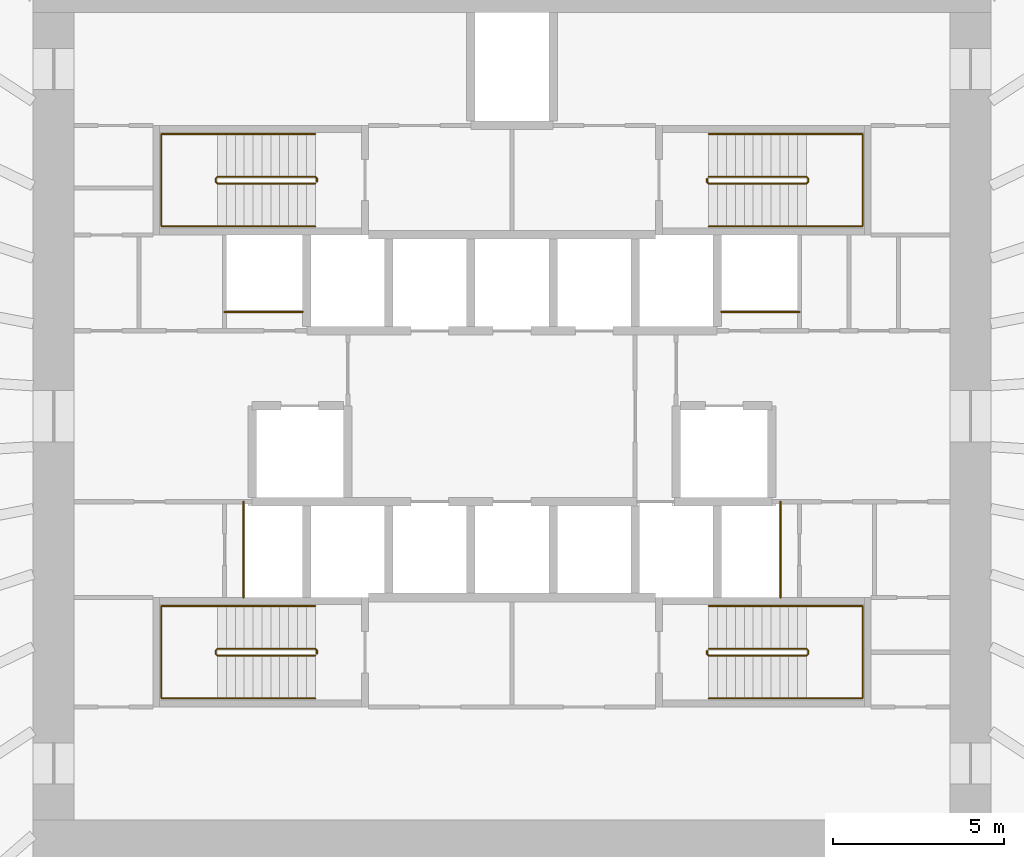
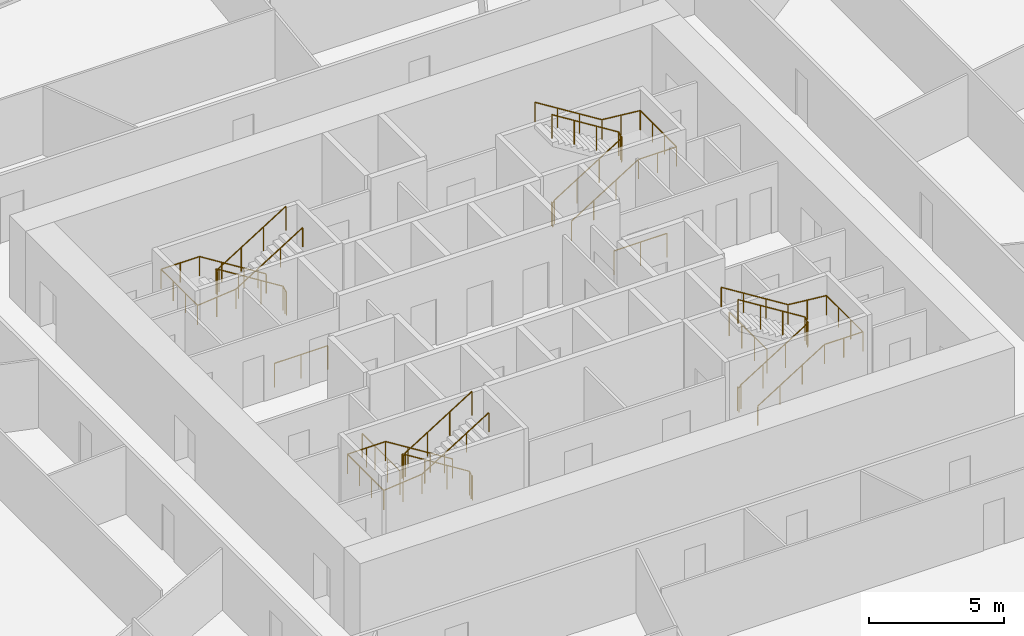
# One storey, part 10 of 10: 12 railings.
"""IFC4 building model written with IfcOpenShell, lengths in metres."""

from ifc_helpers import new_model, si_unit, direction, frame, origin, origin_2d, place, context, subcontext, project, spatial, circle, extrude, source, transform, mapped, material, type_object, element, save


model = new_model("IFC4")

# Units and contexts
model_context = context("Model", 3, precision=1e-05, world=origin(), true_north=direction((0.0, 1.0)))
body_context = subcontext(model_context, "Body", "Model", "MODEL_VIEW")
ifc_project = project(units=[si_unit("LENGTHUNIT", "METRE"), si_unit("AREAUNIT", "SQUARE_METRE"), si_unit("VOLUMEUNIT", "CUBIC_METRE"), si_unit("PLANEANGLEUNIT", "RADIAN"), si_unit("MASSUNIT", "GRAM", prefix="KILO")], contexts=[model_context])

# Site, building, storey
site_placement = place(None, origin())
site = spatial("IfcSite", under=ifc_project, at=site_placement, CompositionType="ELEMENT")
building_placement = place(site_placement, origin())
building = spatial("IfcBuilding", under=site, at=building_placement, Name="Embergate Tower", CompositionType="ELEMENT")
storey_placement = place(building_placement, frame((0.0, 0.0, 117.199951171875)))
storey = spatial("IfcBuildingStorey", under=building, at=storey_placement, Name="L25", CompositionType="ELEMENT", Elevation=117.199951171875)

# Railings
ifc_material_1 = material(Name="Stair guard 1100")
railing_type_1 = type_object("IfcRailingType", Name="Stair guard 1100", PredefinedType="GUARDRAIL", material=ifc_material_1)
shared_shape_1 = source(origin(), body_context, "Body", "SweptSolid", [
    extrude(circle(Radius=0.02392578125, at=origin_2d()), frame((0.0, 0.0, 1.076171875), z_axis=(0.0, 1.0, 0.0), x_axis=(-1.0, 0.0, 0.0)), (0.0, 0.0, 1.0), 0.099853515625),
    extrude(circle(Radius=0.02392578125, at=origin_2d()), frame((0.0, 0.099853515625, 1.076171875), z_axis=(-0.282227285176, 0.282227285176, 0.916894497205), x_axis=(-0.707106781187, -0.707106781187, 0.0)), (0.0, 0.0, 1.0), 0.17724609375),
    extrude(circle(Radius=0.02392578125, at=origin_2d()), frame((-0.050048828125, 0.14990234375, 1.23876953125), z_axis=(-0.848026770018, 0.0, 0.529953391661), x_axis=(0.0, -1.0, 0.0)), (0.0, 0.0, 1.0), 3.37255859375),
    extrude(circle(Radius=0.02392578125, at=origin_2d()), frame((-2.91015625, 0.14990234375, 3.02587890625), z_axis=(-0.705375805398, -0.708833529934, 0.0), x_axis=(0.708833529934, -0.705375805398, 0.0)), (0.0, 0.0, 1.0), 0.070556640625),
    extrude(circle(Radius=0.02392578125, at=origin_2d()), frame((-2.9599609375, 0.099853515625, 3.02587890625), z_axis=(0.0, -1.0, 0.0), x_axis=(1.0, 0.0, 0.0)), (0.0, 0.0, 1.0), 0.099853515625),
    extrude(circle(Radius=0.02392578125, at=origin_2d()), frame((-2.9599609375, 0.0, 3.02587890625), z_axis=(0.280959487676, -0.282336740067, 0.917250092119), x_axis=(0.708833529934, 0.705375805398, 0.0)), (0.0, 0.0, 1.0), 0.17724609375),
    extrude(circle(Radius=0.02392578125, at=origin_2d()), frame((-2.91015625, -0.050048828125, 3.1884765625), z_axis=(0.847994237388, 0.0, 0.530005446535), x_axis=(0.0, 1.0, 0.0)), (0.0, 0.0, 1.0), 3.372802734375),
    extrude(circle(Radius=0.02099609375, at=origin_2d()), origin(), (0.0, 0.0, 1.0), 1.052001953125),
    extrude(circle(Radius=0.02099609375, at=origin_2d()), frame((0.0, 0.099853515625, 0.0)), (0.0, 0.0, 1.0), 1.052001953125),
    extrude(circle(Radius=0.02099609375, at=origin_2d()), frame((-0.050048828125, 0.14990234375, 0.16259765625)), (0.0, 0.0, 1.0), 1.052001953125),
    extrude(circle(Radius=0.02099609375, at=origin_2d()), frame((-1.00341796875, 0.14990234375, 0.75830078125)), (0.0, 0.0, 1.0), 1.052001953125),
    extrude(circle(Radius=0.02099609375, at=origin_2d()), frame((-1.956787109375, 0.14990234375, 1.354248046875)), (0.0, 0.0, 1.0), 1.052001953125),
    extrude(circle(Radius=0.02099609375, at=origin_2d()), frame((-2.91015625, 0.14990234375, 1.949951171875)), (0.0, 0.0, 1.0), 1.052001953125),
    extrude(circle(Radius=0.02099609375, at=origin_2d()), frame((-2.9599609375, 0.099853515625, 1.949951171875)), (0.0, 0.0, 1.0), 1.052001953125),
    extrude(circle(Radius=0.02099609375, at=origin_2d()), frame((-2.9599609375, 0.0, 1.949951171875)), (0.0, 0.0, 1.0), 1.052001953125),
    extrude(circle(Radius=0.02099609375, at=origin_2d()), frame((-2.91015625, -0.050048828125, 2.112548828125)), (0.0, 0.0, 1.0), 1.052001953125),
    extrude(circle(Radius=0.02099609375, at=origin_2d()), frame((-1.956787109375, -0.050048828125, 2.70849609375)), (0.0, 0.0, 1.0), 1.052001953125),
    extrude(circle(Radius=0.02099609375, at=origin_2d()), frame((-1.00341796875, -0.050048828125, 3.30419921875)), (0.0, 0.0, 1.0), 1.052001953125),
    extrude(circle(Radius=0.02099609375, at=origin_2d()), frame((-0.050048828125, -0.050048828125, 3.900146484375)), (0.0, 0.0, 1.0), 1.052001953125),
])
for number, where, name in (
    (1, (-5.699951171875, 6.85009765625, 0.0), "L25 ST1 stair guard 1"),
    (2, (-5.699951171875, -6.949951171875, 0.0), "L25 ST3 stair guard 1"),
):
    element("IfcRailing", number, at=place(storey_placement, frame(where)), inside=storey, type_object=railing_type_1, Name=name, PredefinedType="GUARDRAIL", context=body_context, shape_type="MappedRepresentation", body=[
        mapped(shared_shape_1, transform((0.0, 0.0, 0.0))),
    ])
ifc_material_2 = material(Name="Stair handrail 900")
railing_type_2 = type_object("IfcRailingType", Name="Stair handrail 900", PredefinedType="HANDRAIL", material=ifc_material_2)
shared_shape_2 = source(origin(), body_context, "Body", "SweptSolid", [
    extrude(circle(Radius=0.02392578125, at=origin_2d()), frame((0.0, 0.0, 0.8759765625), z_axis=(-0.848026770018, 0.0, 0.529953391661), x_axis=(0.0, -1.0, 0.0)), (0.0, 0.0, 1.0), 3.37255859375),
    extrude(circle(Radius=0.02392578125, at=origin_2d()), frame((-2.860107421875, 0.0, 2.6630859375), z_axis=(-1.0, 0.0, 0.0), x_axis=(0.0, -1.0, 0.0)), (0.0, 0.0, 1.0), 1.639892578125),
    extrude(circle(Radius=0.02392578125, at=origin_2d()), frame((-4.5, 0.0, 2.6630859375), z_axis=(0.0, -1.0, 0.0), x_axis=(1.0, 0.0, 0.0)), (0.0, 0.0, 1.0), 2.699951171875),
    extrude(circle(Radius=0.02392578125, at=origin_2d()), frame((-4.5, -2.699951171875, 2.6630859375), z_axis=(0.995120448088, 0.0, 0.098667592441), x_axis=(0.0, 1.0, 0.0)), (0.0, 0.0, 1.0), 1.64794921875),
    extrude(circle(Radius=0.02392578125, at=origin_2d()), frame((-2.860107421875, -2.699951171875, 2.82568359375), z_axis=(0.847994237388, 0.0, 0.530005446535), x_axis=(0.0, 1.0, 0.0)), (0.0, 0.0, 1.0), 3.372802734375),
    extrude(circle(Radius=0.02099609375, at=origin_2d()), origin(), (0.0, 0.0, 1.0), 0.851806640625),
    extrude(circle(Radius=0.02099609375, at=origin_2d()), frame((-0.953369140625, 0.0, 0.595703125)), (0.0, 0.0, 1.0), 0.851806640625),
    extrude(circle(Radius=0.02099609375, at=origin_2d()), frame((-1.90673828125, 0.0, 1.191650390625)), (0.0, 0.0, 1.0), 0.851806640625),
    extrude(circle(Radius=0.02099609375, at=origin_2d()), frame((-2.860107421875, 0.0, 1.787353515625)), (0.0, 0.0, 1.0), 0.851806640625),
    extrude(circle(Radius=0.02099609375, at=origin_2d()), frame((-3.68017578125, 0.0, 1.787353515625)), (0.0, 0.0, 1.0), 0.851806640625),
    extrude(circle(Radius=0.02099609375, at=origin_2d()), frame((-4.5, 0.0, 1.787353515625)), (0.0, 0.0, 1.0), 0.851806640625),
    extrude(circle(Radius=0.02099609375, at=origin_2d()), frame((-4.5, -0.89990234375, 1.787353515625)), (0.0, 0.0, 1.0), 0.851806640625),
    extrude(circle(Radius=0.02099609375, at=origin_2d()), frame((-4.5, -1.800048828125, 1.787353515625)), (0.0, 0.0, 1.0), 0.851806640625),
    extrude(circle(Radius=0.02099609375, at=origin_2d()), frame((-4.5, -2.699951171875, 1.787353515625)), (0.0, 0.0, 1.0), 0.851806640625),
    extrude(circle(Radius=0.02099609375, at=origin_2d()), frame((-3.68017578125, -2.699951171875, 1.86865234375)), (0.0, 0.0, 1.0), 0.851806640625),
    extrude(circle(Radius=0.02099609375, at=origin_2d()), frame((-2.860107421875, -2.699951171875, 1.949951171875)), (0.0, 0.0, 1.0), 0.851806640625),
    extrude(circle(Radius=0.02099609375, at=origin_2d()), frame((-1.90673828125, -2.699951171875, 2.5458984375)), (0.0, 0.0, 1.0), 0.851806640625),
    extrude(circle(Radius=0.02099609375, at=origin_2d()), frame((-0.953369140625, -2.699951171875, 3.1416015625)), (0.0, 0.0, 1.0), 0.851806640625),
    extrude(circle(Radius=0.02099609375, at=origin_2d()), frame((0.0, -2.699951171875, 3.737548828125)), (0.0, 0.0, 1.0), 0.851806640625),
])
for number, where, name in (
    (3, (-5.75, 8.25, 0.16259765625), "L25 ST1 stair handrail 1"),
    (4, (-5.75, -5.550048828125, 0.16259765625), "L25 ST3 stair handrail 1"),
):
    element("IfcRailing", number, at=place(storey_placement, frame(where)), inside=storey, type_object=railing_type_2, Name=name, PredefinedType="HANDRAIL", context=body_context, shape_type="MappedRepresentation", body=[
        mapped(shared_shape_2, transform((0.0, 0.0, 0.0))),
    ])
shared_shape_3 = source(origin(), body_context, "Body", "SweptSolid", [
    extrude(circle(Radius=0.02392578125, at=origin_2d()), frame((0.0, 0.0, 1.076171875), z_axis=(0.0, -1.0, 0.0), x_axis=(1.0, 0.0, 0.0)), (0.0, 0.0, 1.0), 0.099853515625),
    extrude(circle(Radius=0.02392578125, at=origin_2d()), frame((0.0, -0.099853515625, 1.076171875), z_axis=(0.282227285176, -0.282227285176, 0.916894497205), x_axis=(0.707106781187, 0.707106781187, 0.0)), (0.0, 0.0, 1.0), 0.17724609375),
    extrude(circle(Radius=0.02392578125, at=origin_2d()), frame((0.050048828125, -0.14990234375, 1.23876953125), z_axis=(0.848026770018, 0.0, 0.529953391661), x_axis=(0.0, 1.0, 0.0)), (0.0, 0.0, 1.0), 3.37255859375),
    extrude(circle(Radius=0.02392578125, at=origin_2d()), frame((2.91015625, -0.14990234375, 3.02587890625), z_axis=(0.705375805398, 0.708833529934, 0.0), x_axis=(-0.708833529934, 0.705375805398, 0.0)), (0.0, 0.0, 1.0), 0.070556640625),
    extrude(circle(Radius=0.02392578125, at=origin_2d()), frame((2.9599609375, -0.099853515625, 3.02587890625), z_axis=(0.0, 1.0, 0.0), x_axis=(-1.0, 0.0, 0.0)), (0.0, 0.0, 1.0), 0.099853515625),
    extrude(circle(Radius=0.02392578125, at=origin_2d()), frame((2.9599609375, 0.0, 3.02587890625), z_axis=(-0.280959487676, 0.282336740067, 0.917250092119), x_axis=(-0.708833529934, -0.705375805398, 0.0)), (0.0, 0.0, 1.0), 0.17724609375),
    extrude(circle(Radius=0.02392578125, at=origin_2d()), frame((2.91015625, 0.050048828125, 3.1884765625), z_axis=(-0.847994237388, 0.0, 0.530005446535), x_axis=(0.0, -1.0, 0.0)), (0.0, 0.0, 1.0), 3.372802734375),
    extrude(circle(Radius=0.02099609375, at=origin_2d()), origin(), (0.0, 0.0, 1.0), 1.052001953125),
    extrude(circle(Radius=0.02099609375, at=origin_2d()), frame((0.0, -0.099853515625, 0.0)), (0.0, 0.0, 1.0), 1.052001953125),
    extrude(circle(Radius=0.02099609375, at=origin_2d()), frame((0.050048828125, -0.14990234375, 0.16259765625)), (0.0, 0.0, 1.0), 1.052001953125),
    extrude(circle(Radius=0.02099609375, at=origin_2d()), frame((1.00341796875, -0.14990234375, 0.75830078125)), (0.0, 0.0, 1.0), 1.052001953125),
    extrude(circle(Radius=0.02099609375, at=origin_2d()), frame((1.956787109375, -0.14990234375, 1.354248046875)), (0.0, 0.0, 1.0), 1.052001953125),
    extrude(circle(Radius=0.02099609375, at=origin_2d()), frame((2.91015625, -0.14990234375, 1.949951171875)), (0.0, 0.0, 1.0), 1.052001953125),
    extrude(circle(Radius=0.02099609375, at=origin_2d()), frame((2.9599609375, -0.099853515625, 1.949951171875)), (0.0, 0.0, 1.0), 1.052001953125),
    extrude(circle(Radius=0.02099609375, at=origin_2d()), frame((2.9599609375, 0.0, 1.949951171875)), (0.0, 0.0, 1.0), 1.052001953125),
    extrude(circle(Radius=0.02099609375, at=origin_2d()), frame((2.91015625, 0.050048828125, 2.112548828125)), (0.0, 0.0, 1.0), 1.052001953125),
    extrude(circle(Radius=0.02099609375, at=origin_2d()), frame((1.956787109375, 0.050048828125, 2.70849609375)), (0.0, 0.0, 1.0), 1.052001953125),
    extrude(circle(Radius=0.02099609375, at=origin_2d()), frame((1.00341796875, 0.050048828125, 3.30419921875)), (0.0, 0.0, 1.0), 1.052001953125),
    extrude(circle(Radius=0.02099609375, at=origin_2d()), frame((0.050048828125, 0.050048828125, 3.900146484375)), (0.0, 0.0, 1.0), 1.052001953125),
])
for number, where, name in (
    (5, (5.699951171875, 6.949951171875, 0.0), "L25 ST2 stair guard 1"),
    (6, (5.699951171875, -6.85009765625, 0.0), "L25 ST4 stair guard 1"),
):
    element("IfcRailing", number, at=place(storey_placement, frame(where)), inside=storey, type_object=railing_type_1, Name=name, PredefinedType="GUARDRAIL", context=body_context, shape_type="MappedRepresentation", body=[
        mapped(shared_shape_3, transform((0.0, 0.0, 0.0))),
    ])
shared_shape_4 = source(origin(), body_context, "Body", "SweptSolid", [
    extrude(circle(Radius=0.02392578125, at=origin_2d()), frame((0.0, 0.0, 0.8759765625), z_axis=(0.848026770018, 0.0, 0.529953391661), x_axis=(0.0, 1.0, 0.0)), (0.0, 0.0, 1.0), 3.37255859375),
    extrude(circle(Radius=0.02392578125, at=origin_2d()), frame((2.860107421875, 0.0, 2.6630859375), z_axis=(1.0, 0.0, 0.0), x_axis=(0.0, 1.0, 0.0)), (0.0, 0.0, 1.0), 1.639892578125),
    extrude(circle(Radius=0.02392578125, at=origin_2d()), frame((4.5, 0.0, 2.6630859375), z_axis=(0.0, 1.0, 0.0), x_axis=(-1.0, 0.0, 0.0)), (0.0, 0.0, 1.0), 2.699951171875),
    extrude(circle(Radius=0.02392578125, at=origin_2d()), frame((4.5, 2.699951171875, 2.6630859375), z_axis=(-0.995120448088, 0.0, 0.098667592441), x_axis=(0.0, -1.0, 0.0)), (0.0, 0.0, 1.0), 1.64794921875),
    extrude(circle(Radius=0.02392578125, at=origin_2d()), frame((2.860107421875, 2.699951171875, 2.82568359375), z_axis=(-0.847994237388, 0.0, 0.530005446535), x_axis=(0.0, -1.0, 0.0)), (0.0, 0.0, 1.0), 3.372802734375),
    extrude(circle(Radius=0.02099609375, at=origin_2d()), origin(), (0.0, 0.0, 1.0), 0.851806640625),
    extrude(circle(Radius=0.02099609375, at=origin_2d()), frame((0.953369140625, 0.0, 0.595703125)), (0.0, 0.0, 1.0), 0.851806640625),
    extrude(circle(Radius=0.02099609375, at=origin_2d()), frame((1.90673828125, 0.0, 1.191650390625)), (0.0, 0.0, 1.0), 0.851806640625),
    extrude(circle(Radius=0.02099609375, at=origin_2d()), frame((2.860107421875, 0.0, 1.787353515625)), (0.0, 0.0, 1.0), 0.851806640625),
    extrude(circle(Radius=0.02099609375, at=origin_2d()), frame((3.68017578125, 0.0, 1.787353515625)), (0.0, 0.0, 1.0), 0.851806640625),
    extrude(circle(Radius=0.02099609375, at=origin_2d()), frame((4.5, 0.0, 1.787353515625)), (0.0, 0.0, 1.0), 0.851806640625),
    extrude(circle(Radius=0.02099609375, at=origin_2d()), frame((4.5, 0.89990234375, 1.787353515625)), (0.0, 0.0, 1.0), 0.851806640625),
    extrude(circle(Radius=0.02099609375, at=origin_2d()), frame((4.5, 1.800048828125, 1.787353515625)), (0.0, 0.0, 1.0), 0.851806640625),
    extrude(circle(Radius=0.02099609375, at=origin_2d()), frame((4.5, 2.699951171875, 1.787353515625)), (0.0, 0.0, 1.0), 0.851806640625),
    extrude(circle(Radius=0.02099609375, at=origin_2d()), frame((3.68017578125, 2.699951171875, 1.86865234375)), (0.0, 0.0, 1.0), 0.851806640625),
    extrude(circle(Radius=0.02099609375, at=origin_2d()), frame((2.860107421875, 2.699951171875, 1.949951171875)), (0.0, 0.0, 1.0), 0.851806640625),
    extrude(circle(Radius=0.02099609375, at=origin_2d()), frame((1.90673828125, 2.699951171875, 2.5458984375)), (0.0, 0.0, 1.0), 0.851806640625),
    extrude(circle(Radius=0.02099609375, at=origin_2d()), frame((0.953369140625, 2.699951171875, 3.1416015625)), (0.0, 0.0, 1.0), 0.851806640625),
    extrude(circle(Radius=0.02099609375, at=origin_2d()), frame((0.0, 2.699951171875, 3.737548828125)), (0.0, 0.0, 1.0), 0.851806640625),
])
for number, where, name in (
    (7, (5.75, 5.550048828125, 0.16259765625), "L25 ST2 stair handrail 1"),
    (8, (5.75, -8.25, 0.16259765625), "L25 ST4 stair handrail 1"),
):
    element("IfcRailing", number, at=place(storey_placement, frame(where)), inside=storey, type_object=railing_type_2, Name=name, PredefinedType="HANDRAIL", context=body_context, shape_type="MappedRepresentation", body=[
        mapped(shared_shape_4, transform((0.0, 0.0, 0.0))),
    ])
ifc_material_3 = material(Name="Opening guard 1100")
railing_type_3 = type_object("IfcRailingType", Name="Opening guard 1100", PredefinedType="GUARDRAIL", material=ifc_material_3)
shared_shape_5 = source(origin(), body_context, "Body", "SweptSolid", [
    extrude(circle(Radius=0.02392578125, at=origin_2d()), frame((0.0, 0.0, 1.076171875), z_axis=(1.0, 0.0, 0.0), x_axis=(0.0, 1.0, 0.0)), (0.0, 0.0, 1.0), 2.27490234375),
    extrude(circle(Radius=0.02099609375, at=origin_2d()), origin(), (0.0, 0.0, 1.0), 1.052001953125),
    extrude(circle(Radius=0.02099609375, at=origin_2d()), frame((1.137451171875, 0.0, 0.0)), (0.0, 0.0, 1.0), 1.052001953125),
    extrude(circle(Radius=0.02099609375, at=origin_2d()), frame((2.27490234375, 0.0, 0.0)), (0.0, 0.0, 1.0), 1.052001953125),
])
for number, where, name in (
    (9, (-8.39990234375, 3.050048828125, 0.0), "Riser opening guard"),
    (10, (6.125, 3.050048828125, 0.0), "Riser opening guard"),
):
    element("IfcRailing", number, at=place(storey_placement, frame(where)), inside=storey, type_object=railing_type_3, Name=name, PredefinedType="GUARDRAIL", context=body_context, shape_type="MappedRepresentation", body=[
        mapped(shared_shape_5, transform((0.0, 0.0, 0.0))),
    ])
shared_shape_6 = source(origin(), body_context, "Body", "SweptSolid", [
    extrude(circle(Radius=0.02392578125, at=origin_2d()), frame((0.0, 0.0, 1.076171875), z_axis=(0.0, 1.0, 0.0), x_axis=(-1.0, 0.0, 0.0)), (0.0, 0.0, 1.0), 2.800048828125),
    extrude(circle(Radius=0.02099609375, at=origin_2d()), origin(), (0.0, 0.0, 1.0), 1.052001953125),
    extrude(circle(Radius=0.02099609375, at=origin_2d()), frame((0.0, 0.933349609375, 0.0)), (0.0, 0.0, 1.0), 1.052001953125),
    extrude(circle(Radius=0.02099609375, at=origin_2d()), frame((0.0, 1.86669921875, 0.0)), (0.0, 0.0, 1.0), 1.052001953125),
    extrude(circle(Radius=0.02099609375, at=origin_2d()), frame((0.0, 2.800048828125, 0.0)), (0.0, 0.0, 1.0), 1.052001953125),
])
for number, where, name in (
    (11, (-7.85009765625, -5.300048828125, 0.0), "Riser opening guard"),
    (12, (7.85009765625, -5.300048828125, 0.0), "Riser opening guard"),
):
    element("IfcRailing", number, at=place(storey_placement, frame(where)), inside=storey, type_object=railing_type_3, Name=name, PredefinedType="GUARDRAIL", context=body_context, shape_type="MappedRepresentation", body=[
        mapped(shared_shape_6, transform((0.0, 0.0, 0.0))),
    ])

save(model, "model.ifc")
